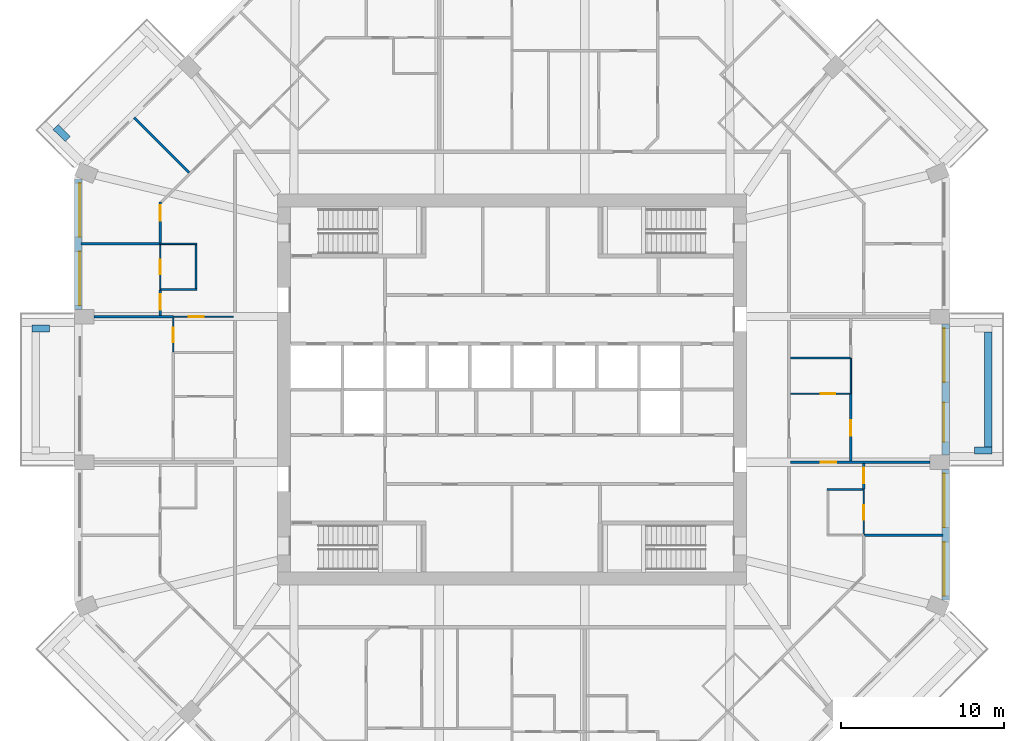
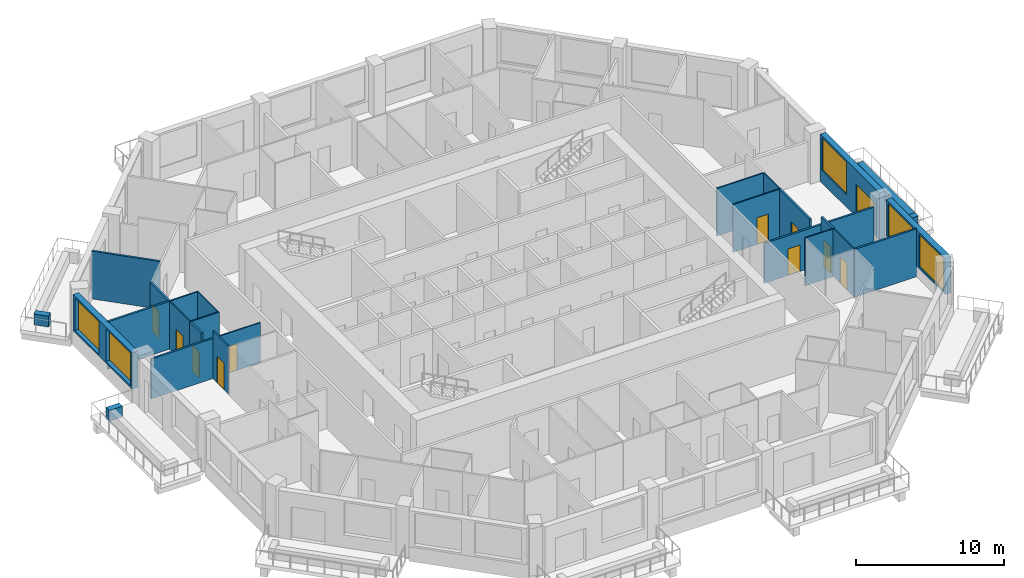
# One storey, part 7 of 13: 27 walls, 11 doors, 5 windows, 16 openings.
"""IFC4 building model written with IfcOpenShell, lengths in metres."""

from ifc_helpers import new_model, si_unit, direction, frame, frame_2d, origin, place, context, subcontext, project, spatial, rectangle, extrude, material, layer, layer_set, type_object, element, fill, save


model = new_model("IFC4")

# Units and contexts
model_context = context("Model", 3, precision=1e-05, world=origin(), true_north=direction((0.0, 1.0)))
body_context = subcontext(model_context, "Body", "Model", "MODEL_VIEW")
ifc_project = project(units=[si_unit("LENGTHUNIT", "METRE"), si_unit("AREAUNIT", "SQUARE_METRE"), si_unit("VOLUMEUNIT", "CUBIC_METRE"), si_unit("PLANEANGLEUNIT", "RADIAN"), si_unit("MASSUNIT", "GRAM", prefix="KILO")], contexts=[model_context])

# Site, building, storey
site_placement = place(None, origin())
site = spatial("IfcSite", under=ifc_project, at=site_placement, CompositionType="ELEMENT")
building_placement = place(site_placement, origin())
building = spatial("IfcBuilding", under=site, at=building_placement, Name="Msitu Wima Residences", CompositionType="ELEMENT")
storey_placement = place(building_placement, frame((0.0, 0.0, 110.699951171875)))
storey = spatial("IfcBuildingStorey", under=building, at=storey_placement, Name="L25", CompositionType="ELEMENT", Elevation=110.699951171875)

# Walls
ifc_material_1 = material(Name="Facing brick")
ifc_layer_1 = layer(ifc_material_1, 0.06494140625, Name="Facing brick")
ifc_material_2 = material(Name="Concrete C40/50", Category="concrete")
ifc_layer_2 = layer(ifc_material_2, 0.156005859375, Name="Concrete C40/50")
ifc_material_3 = material(Name="Waterproofing membrane")
ifc_layer_3 = layer(ifc_material_3, 0.00390625, Name="Waterproofing membrane")
ifc_material_4 = material(Name="Planting soil and planting")
ifc_layer_4 = layer(ifc_material_4, 0.22509765625, Name="Planting soil and planting")
ifc_layer_set_1 = layer_set([ifc_layer_1, ifc_layer_2, ifc_layer_3, ifc_layer_4], Name="Concrete C40/50")
wall_type_1 = type_object("IfcWallType", Name="Balcony planter PLANTER PL450", PredefinedType="USERDEFINED", material=ifc_layer_set_1)
wall_1_placement = place(storey_placement, frame((29.22509765625, -3.5185546875, 0.0), z_axis=(0.0, 0.0, 1.0), x_axis=(0.0, 1.0, 0.0)))
element("IfcWall", 1, at=wall_1_placement, inside=storey, type_object=wall_type_1, Name="Balcony planter E1 L25", ObjectType="PLANTER", PredefinedType="USERDEFINED", context=body_context, shape_type="SweptSolid", body=[
    extrude(rectangle(XDim=7.037109375, YDim=0.449951171875, at=frame_2d((3.5185546875, 0.0))), origin(), (0.0, 0.0, 1.0), 0.900146484375),
])
for number, where, z_axis, x_axis, name in (
    (2, (28.39990234375, -3.74365234375, 0.0), (0.0, 0.0, 1.0), (1.0, 0.0, 0.0), "Balcony planter E1 L25"),
    (3, (-27.26611328125, 15.3681640625, 0.0), (0.0, 0.0, 1.0), (-0.707223014731, 0.706990528533, 0.0), "Balcony planter NW1 L25"),
    (4, (-28.39990234375, 3.74365234375, 0.0), (0.0, 0.0, 1.0), (-1.0, 0.0, 0.0), "Balcony planter W1 L25"),
):
    element("IfcWall", number, at=place(storey_placement, frame(where, z_axis=z_axis, x_axis=x_axis)), inside=storey, type_object=wall_type_1, Name=name, ObjectType="PLANTER", PredefinedType="USERDEFINED", context=body_context, shape_type="SweptSolid", body=[
        extrude(rectangle(XDim=1.050048828125, YDim=0.449951171875, at=frame_2d((0.52490234375, 0.0))), origin(), (0.0, 0.0, 1.0), 0.900146484375),
    ])

# Wall, openings, windows
ifc_material_5 = material(Name="Brick (red buff mix)", Category="masonry")
ifc_layer_5 = layer(ifc_material_5, 0.449951171875)
ifc_layer_set_2 = layer_set([ifc_layer_5], Name="Brick (red buff mix)")
wall_type_2 = type_object("IfcWallType", Name="Brick infill wall BW450", PredefinedType="SOLIDWALL", material=ifc_layer_set_2)
wall_2_placement = place(storey_placement, frame((26.625, -12.918701171875, 0.900146484375), z_axis=(0.0, 0.0, 1.0), x_axis=(0.0, 1.0, 0.0)))
wall_2 = element("IfcWall", 5, at=wall_2_placement, inside=storey, type_object=wall_type_2, Name="Brick infill wall L25 E0", PredefinedType="SOLIDWALL", context=body_context, shape_type="SweptSolid", body=[
    extrude(rectangle(XDim=8.0, YDim=0.449951171875, at=frame_2d((4.0, 0.0))), origin(), (0.0, 0.0, 1.0), 3.0),
])
opening_1_placement = place(wall_2_placement, frame((0.25, 0.0, 0.14990234375)))
opening_1 = element("IfcOpeningElement", 6, at=opening_1_placement, cuts=wall_2, Name="Opening W25-26.001", PredefinedType="OPENING", context=body_context, shape_type="SweptSolid", body=[
    extrude(rectangle(XDim=3.300048828125, YDim=2.699951171875, at=frame_2d((1.64990234375, 1.35009765625))), frame((0.0, 0.23486328125, 0.0), z_axis=(0.0, -1.0, 0.0), x_axis=(1.0, 0.0, 0.0)), (0.0, 0.0, 1.0), 0.469970703125),
])
opening_2_placement = place(wall_2_placement, frame((4.4501953125, 0.0, 0.14990234375)))
opening_2 = element("IfcOpeningElement", 7, at=opening_2_placement, cuts=wall_2, Name="Opening W25-26.002", PredefinedType="OPENING", context=body_context, shape_type="SweptSolid", body=[
    extrude(rectangle(XDim=3.300048828125, YDim=2.699951171875, at=frame_2d((1.64990234375, 1.35009765625))), frame((0.0, 0.23486328125, 0.0), z_axis=(0.0, -1.0, 0.0), x_axis=(1.0, 0.0, 0.0)), (0.0, 0.0, 1.0), 0.469970703125),
])
ifc_material_6 = material(Name="Anodised aluminium, bronze finish, clear low-emissivity double glazing", Category="aluminium")
window_type = type_object("IfcWindowType", Name="Window W3300x2700", PartitioningType="DOUBLE_PANEL_VERTICAL", PredefinedType="WINDOW", material=ifc_material_6)
window_1_placement = place(opening_1_placement, origin())
window_1 = element("IfcWindow", 8, at=window_1_placement, inside=storey, type_object=window_type, Name="Window L25 E0.1", OverallHeight=2.699951171875, OverallWidth=3.300048828125, PartitioningType="SINGLE_PANEL", PredefinedType="WINDOW", context=body_context, shape_type="SweptSolid", body=[
    extrude(rectangle(XDim=3.300048828125, YDim=2.699951171875, at=frame_2d((1.64990234375, 1.35009765625))), frame((0.0, 0.135009765625, 0.0), z_axis=(0.0, -1.0, 0.0), x_axis=(1.0, 0.0, 0.0)), (0.0, 0.0, 1.0), 0.06005859375),
])
fill(opening_1, window_1)
window_2_placement = place(opening_2_placement, origin())
window_2 = element("IfcWindow", 9, at=window_2_placement, inside=storey, type_object=window_type, Name="Window L25 E0.2", OverallHeight=2.699951171875, OverallWidth=3.300048828125, PartitioningType="SINGLE_PANEL", PredefinedType="WINDOW", context=body_context, shape_type="SweptSolid", body=[
    extrude(rectangle(XDim=3.300048828125, YDim=2.699951171875, at=frame_2d((1.64990234375, 1.35009765625))), frame((0.0, 0.135009765625, 0.0), z_axis=(0.0, -1.0, 0.0), x_axis=(1.0, 0.0, 0.0)), (0.0, 0.0, 1.0), 0.06005859375),
])
fill(opening_2, window_2)

# Wall, openings, door, window
wall_3_placement = place(storey_placement, frame((26.625, -4.0185546875, 0.0), z_axis=(0.0, 0.0, 1.0), x_axis=(0.0, 1.0, 0.0)))
wall_3 = element("IfcWall", 10, at=wall_3_placement, inside=storey, type_object=wall_type_2, Name="Brick infill wall L25 E1", PredefinedType="SOLIDWALL", context=body_context, shape_type="SweptSolid", body=[
    extrude(rectangle(XDim=8.037109375, YDim=0.449951171875, at=frame_2d((4.0185546875, 0.0))), origin(), (0.0, 0.0, 1.0), 3.900146484375),
])
opening_3_placement = place(wall_3_placement, frame((0.809326171875, 0.0, 0.0)))
opening_3 = element("IfcOpeningElement", 11, at=opening_3_placement, cuts=wall_3, Name="Opening D25-26.001", PredefinedType="OPENING", context=body_context, shape_type="SweptSolid", body=[
    extrude(rectangle(XDim=2.39990234375, YDim=2.699951171875, at=frame_2d((1.199951171875, 1.35009765625))), frame((0.0, 0.23486328125, 0.0), z_axis=(0.0, -1.0, 0.0), x_axis=(1.0, 0.0, 0.0)), (0.0, 0.0, 1.0), 0.469970703125),
])
opening_4_placement = place(wall_3_placement, frame((4.46875, 0.0, 1.050048828125)))
opening_4 = element("IfcOpeningElement", 12, at=opening_4_placement, cuts=wall_3, Name="Opening W25-26.003", PredefinedType="OPENING", context=body_context, shape_type="SweptSolid", body=[
    extrude(rectangle(XDim=3.300048828125, YDim=2.699951171875, at=frame_2d((1.64990234375, 1.35009765625))), frame((0.0, 0.23486328125, 0.0), z_axis=(0.0, -1.0, 0.0), x_axis=(1.0, 0.0, 0.0)), (0.0, 0.0, 1.0), 0.469970703125),
])
door_type_1 = type_object("IfcDoorType", Name="Balcony door D2400x2700", OperationType="SLIDING_TO_LEFT", PredefinedType="DOOR", material=ifc_material_6)
door_1_placement = place(opening_3_placement, origin())
door_1 = element("IfcDoor", 13, at=door_1_placement, inside=storey, type_object=door_type_1, Name="Balcony door L25 E1", OperationType="SINGLE_SWING_LEFT", OverallHeight=2.699951171875, OverallWidth=2.39990234375, PredefinedType="DOOR", context=body_context, shape_type="SweptSolid", body=[
    extrude(rectangle(XDim=2.39990234375, YDim=2.699951171875, at=frame_2d((1.199951171875, 1.35009765625))), frame((0.0, 0.1298828125, 0.0), z_axis=(0.0, -1.0, 0.0), x_axis=(1.0, 0.0, 0.0)), (0.0, 0.0, 1.0), 0.050048828125),
])
fill(opening_3, door_1)
window_3_placement = place(opening_4_placement, origin())
window_3 = element("IfcWindow", 14, at=window_3_placement, inside=storey, type_object=window_type, Name="Window L25 E1.2", OverallHeight=2.699951171875, OverallWidth=3.300048828125, PartitioningType="SINGLE_PANEL", PredefinedType="WINDOW", context=body_context, shape_type="SweptSolid", body=[
    extrude(rectangle(XDim=3.300048828125, YDim=2.699951171875, at=frame_2d((1.64990234375, 1.35009765625))), frame((0.0, 0.135009765625, 0.0), z_axis=(0.0, -1.0, 0.0), x_axis=(1.0, 0.0, 0.0)), (0.0, 0.0, 1.0), 0.06005859375),
])
fill(opening_4, window_3)

# Wall, openings, windows
wall_4_placement = place(storey_placement, frame((-26.625, 12.918701171875, 0.900146484375), z_axis=(0.0, 0.0, 1.0), x_axis=(0.0, -1.0, 0.0)))
wall_4 = element("IfcWall", 15, at=wall_4_placement, inside=storey, type_object=wall_type_2, Name="Brick infill wall L25 W0", PredefinedType="SOLIDWALL", context=body_context, shape_type="SweptSolid", body=[
    extrude(rectangle(XDim=8.0, YDim=0.449951171875, at=frame_2d((4.0, 0.0))), origin(), (0.0, 0.0, 1.0), 3.0),
])
opening_5_placement = place(wall_4_placement, frame((0.25, 0.0, 0.14990234375)))
opening_5 = element("IfcOpeningElement", 16, at=opening_5_placement, cuts=wall_4, Name="Opening W25-26.026", PredefinedType="OPENING", context=body_context, shape_type="SweptSolid", body=[
    extrude(rectangle(XDim=3.300048828125, YDim=2.699951171875, at=frame_2d((1.64990234375, 1.35009765625))), frame((0.0, 0.23486328125, 0.0), z_axis=(0.0, -1.0, 0.0), x_axis=(1.0, 0.0, 0.0)), (0.0, 0.0, 1.0), 0.469970703125),
])
opening_6_placement = place(wall_4_placement, frame((4.4501953125, 0.0, 0.14990234375)))
opening_6 = element("IfcOpeningElement", 17, at=opening_6_placement, cuts=wall_4, Name="Opening W25-26.027", PredefinedType="OPENING", context=body_context, shape_type="SweptSolid", body=[
    extrude(rectangle(XDim=3.300048828125, YDim=2.699951171875, at=frame_2d((1.64990234375, 1.35009765625))), frame((0.0, 0.23486328125, 0.0), z_axis=(0.0, -1.0, 0.0), x_axis=(1.0, 0.0, 0.0)), (0.0, 0.0, 1.0), 0.469970703125),
])
window_4_placement = place(opening_5_placement, origin())
window_4 = element("IfcWindow", 18, at=window_4_placement, inside=storey, type_object=window_type, Name="Window L25 W0.1", OverallHeight=2.699951171875, OverallWidth=3.300048828125, PartitioningType="SINGLE_PANEL", PredefinedType="WINDOW", context=body_context, shape_type="SweptSolid", body=[
    extrude(rectangle(XDim=3.300048828125, YDim=2.699951171875, at=frame_2d((1.64990234375, 1.35009765625))), frame((0.0, 0.135009765625, 0.0), z_axis=(0.0, -1.0, 0.0), x_axis=(1.0, 0.0, 0.0)), (0.0, 0.0, 1.0), 0.06005859375),
])
fill(opening_5, window_4)
window_5_placement = place(opening_6_placement, origin())
window_5 = element("IfcWindow", 19, at=window_5_placement, inside=storey, type_object=window_type, Name="Window L25 W0.2", OverallHeight=2.699951171875, OverallWidth=3.300048828125, PartitioningType="SINGLE_PANEL", PredefinedType="WINDOW", context=body_context, shape_type="SweptSolid", body=[
    extrude(rectangle(XDim=3.300048828125, YDim=2.699951171875, at=frame_2d((1.64990234375, 1.35009765625))), frame((0.0, 0.135009765625, 0.0), z_axis=(0.0, -1.0, 0.0), x_axis=(1.0, 0.0, 0.0)), (0.0, 0.0, 1.0), 0.06005859375),
])
fill(opening_6, window_5)

# Walls
ifc_material_7 = material(Name="Plaster")
ifc_layer_6 = layer(ifc_material_7, 0.011962890625, Name="Plaster")
ifc_material_8 = material(Name="Concrete blockwork", Category="masonry")
ifc_layer_7 = layer(ifc_material_8, 0.1259765625, Name="Concrete blockwork")
ifc_layer_8 = layer(ifc_material_7, 0.011962890625, Name="Plaster")
ifc_layer_set_3 = layer_set([ifc_layer_6, ifc_layer_7, ifc_layer_8], Name="Concrete blockwork")
wall_type_3 = type_object("IfcWallType", Name="Partition PW150", PredefinedType="PARTITIONING", material=ifc_layer_set_3)
wall_5_placement = place(storey_placement, frame((-25.64990234375, 4.46875, 0.0), z_axis=(0.0, 0.0, 1.0), x_axis=(1.0, 0.0, 0.0)))
element("IfcWall", 20, at=wall_5_placement, inside=storey, type_object=wall_type_3, Name="Partition", PredefinedType="PARTITIONING", context=body_context, shape_type="SweptSolid", body=[
    extrude(rectangle(XDim=4.869873046875, YDim=0.14990234375, at=frame_2d((2.43505859375, 0.0))), origin(), (0.0, 0.0, 1.0), 3.300048828125),
])
wall_6_placement = place(storey_placement, frame((-26.455078125, 8.937255859375, 0.0), z_axis=(0.0, 0.0, 1.0), x_axis=(1.0, 0.0, 0.0)))
element("IfcWall", 21, at=wall_6_placement, inside=storey, type_object=wall_type_3, Name="Partition", PredefinedType="PARTITIONING", context=body_context, shape_type="SweptSolid", body=[
    extrude(rectangle(XDim=4.875, YDim=0.14990234375, at=frame_2d((2.4375, 0.0))), origin(), (0.0, 0.0, 1.0), 3.949951171875),
])
wall_7_placement = place(storey_placement, frame((-23.1904296875, 16.693359375, 0.0), z_axis=(0.0, 0.0, 1.0), x_axis=(0.707106781187, -0.707106781187, 0.0)))
element("IfcWall", 22, at=wall_7_placement, inside=storey, type_object=wall_type_3, Name="Partition", PredefinedType="PARTITIONING", context=body_context, shape_type="SweptSolid", body=[
    extrude(rectangle(XDim=4.7802734375, YDim=0.14990234375, at=frame_2d((2.39013671875, 0.0))), origin(), (0.0, 0.0, 1.0), 3.949951171875),
])

# Wall, opening, door
wall_8_placement = place(storey_placement, frame((-21.60009765625, 4.543701171875, 0.0), z_axis=(0.0, 0.0, 1.0), x_axis=(0.0, 1.0, 0.0)))
wall_8 = element("IfcWall", 23, at=wall_8_placement, inside=storey, type_object=wall_type_3, Name="Partition", PredefinedType="PARTITIONING", context=body_context, shape_type="SweptSolid", body=[
    extrude(rectangle(XDim=1.573486328125, YDim=0.14990234375, at=frame_2d((0.78662109375, 0.0))), origin(), (0.0, 0.0, 1.0), 3.949951171875),
])
opening_7_placement = place(wall_8_placement, frame((0.35009765625, 0.0, 0.0)))
opening_7 = element("IfcOpeningElement", 24, at=opening_7_placement, cuts=wall_8, Name="Opening D25-26.052", PredefinedType="OPENING", context=body_context, shape_type="SweptSolid", body=[
    extrude(rectangle(XDim=0.949951171875, YDim=2.199951171875, at=frame_2d((0.47509765625, 1.10009765625))), frame((0.0, 0.0849609375, 0.0), z_axis=(0.0, -1.0, 0.0), x_axis=(1.0, 0.0, 0.0)), (0.0, 0.0, 1.0), 0.169921875),
])
ifc_material_9 = material(Name="Timber flush door", Category="wood")
door_type_2 = type_object("IfcDoorType", Name="Room door D12 950x2200", OperationType="SINGLE_SWING_LEFT", PredefinedType="DOOR", material=ifc_material_9)
door_2_placement = place(opening_7_placement, origin())
door_2 = element("IfcDoor", 25, at=door_2_placement, inside=storey, type_object=door_type_2, Name="Room door", OperationType="SINGLE_SWING_LEFT", OverallHeight=2.199951171875, OverallWidth=0.949951171875, PredefinedType="DOOR", context=body_context, shape_type="SweptSolid", body=[
    extrude(rectangle(XDim=0.949951171875, YDim=2.199951171875, at=frame_2d((0.47509765625, 1.10009765625))), frame((0.0, 0.02490234375, 0.0), z_axis=(0.0, -1.0, 0.0), x_axis=(1.0, 0.0, 0.0)), (0.0, 0.0, 1.0), 0.050048828125),
])
fill(opening_7, door_2)

wall_9_placement = place(storey_placement, frame((-21.60009765625, 8.957275390625, 0.0), z_axis=(0.0, 0.0, 1.0), x_axis=(0.0, 1.0, 0.0)))
wall_9 = element("IfcWall", 26, at=wall_9_placement, inside=storey, type_object=wall_type_3, Name="Partition", PredefinedType="PARTITIONING", context=body_context, shape_type="SweptSolid", body=[
    extrude(rectangle(XDim=2.535400390625, YDim=0.14990234375, at=frame_2d((1.267578125, 0.0))), origin(), (0.0, 0.0, 1.0), 3.949951171875),
])
opening_8_placement = place(wall_9_placement, frame((1.39990234375, 0.0, 0.0)))
opening_8 = element("IfcOpeningElement", 27, at=opening_8_placement, cuts=wall_9, Name="Opening D25-26.060", PredefinedType="OPENING", context=body_context, shape_type="SweptSolid", body=[
    extrude(rectangle(XDim=0.949951171875, YDim=2.199951171875, at=frame_2d((0.47509765625, 1.10009765625))), frame((0.0, 0.0849609375, 0.0), z_axis=(0.0, -1.0, 0.0), x_axis=(1.0, 0.0, 0.0)), (0.0, 0.0, 1.0), 0.169921875),
])
door_3_placement = place(opening_8_placement, origin())
door_3 = element("IfcDoor", 28, at=door_3_placement, inside=storey, type_object=door_type_2, Name="Room door", OperationType="SINGLE_SWING_LEFT", OverallHeight=2.199951171875, OverallWidth=0.949951171875, PredefinedType="DOOR", context=body_context, shape_type="SweptSolid", body=[
    extrude(rectangle(XDim=0.949951171875, YDim=2.199951171875, at=frame_2d((0.47509765625, 1.10009765625))), frame((0.0, 0.02490234375, 0.0), z_axis=(0.0, -1.0, 0.0), x_axis=(1.0, 0.0, 0.0)), (0.0, 0.0, 1.0), 0.050048828125),
])
fill(opening_8, door_3)

wall_10_placement = place(storey_placement, frame((17.10009765625, -4.46875, 0.0), z_axis=(0.0, 0.0, 1.0), x_axis=(1.0, 0.0, 0.0)))
wall_10 = element("IfcWall", 29, at=wall_10_placement, inside=storey, type_object=wall_type_3, Name="Partition", PredefinedType="PARTITIONING", context=body_context, shape_type="SweptSolid", body=[
    extrude(rectangle(XDim=8.5498046875, YDim=0.14990234375, at=frame_2d((4.27490234375, 0.0))), origin(), (0.0, 0.0, 1.0), 3.300048828125),
])
opening_9_placement = place(wall_10_placement, frame((1.85009765625, 0.0, 0.0)))
opening_9 = element("IfcOpeningElement", 30, at=opening_9_placement, cuts=wall_10, Name="Opening D25-26.078", PredefinedType="OPENING", context=body_context, shape_type="SweptSolid", body=[
    extrude(rectangle(XDim=0.949951171875, YDim=2.199951171875, at=frame_2d((0.47509765625, 1.10009765625))), frame((0.0, 0.0849609375, 0.0), z_axis=(0.0, -1.0, 0.0), x_axis=(1.0, 0.0, 0.0)), (0.0, 0.0, 1.0), 0.169921875),
])
door_4_placement = place(opening_9_placement, origin())
door_4 = element("IfcDoor", 31, at=door_4_placement, inside=storey, type_object=door_type_2, Name="Room door", OperationType="SINGLE_SWING_LEFT", OverallHeight=2.199951171875, OverallWidth=0.949951171875, PredefinedType="DOOR", context=body_context, shape_type="SweptSolid", body=[
    extrude(rectangle(XDim=0.949951171875, YDim=2.199951171875, at=frame_2d((0.47509765625, 1.10009765625))), frame((0.0, 0.02490234375, 0.0), z_axis=(0.0, -1.0, 0.0), x_axis=(1.0, 0.0, 0.0)), (0.0, 0.0, 1.0), 0.050048828125),
])
fill(opening_9, door_4)

wall_11_placement = place(storey_placement, frame((20.800048828125, -4.3935546875, 0.0), z_axis=(0.0, 0.0, 1.0), x_axis=(0.0, 1.0, 0.0)))
wall_11 = element("IfcWall", 32, at=wall_11_placement, inside=storey, type_object=wall_type_3, Name="Partition", PredefinedType="PARTITIONING", context=body_context, shape_type="SweptSolid", body=[
    extrude(rectangle(XDim=4.14501953125, YDim=0.14990234375, at=frame_2d((2.072509765625, 0.0))), origin(), (0.0, 0.0, 1.0), 3.949951171875),
])
opening_10_placement = place(wall_11_placement, frame((1.550048828125, 0.0, 0.0)))
opening_10 = element("IfcOpeningElement", 33, at=opening_10_placement, cuts=wall_11, Name="Opening D25-26.077", PredefinedType="OPENING", context=body_context, shape_type="SweptSolid", body=[
    extrude(rectangle(XDim=0.949951171875, YDim=2.199951171875, at=frame_2d((0.47509765625, 1.10009765625))), frame((0.0, 0.0849609375, 0.0), z_axis=(0.0, -1.0, 0.0), x_axis=(1.0, 0.0, 0.0)), (0.0, 0.0, 1.0), 0.169921875),
])
door_5_placement = place(opening_10_placement, origin())
door_5 = element("IfcDoor", 34, at=door_5_placement, inside=storey, type_object=door_type_2, Name="Room door", OperationType="SINGLE_SWING_RIGHT", OverallHeight=2.199951171875, OverallWidth=0.949951171875, PredefinedType="DOOR", context=body_context, shape_type="SweptSolid", body=[
    extrude(rectangle(XDim=0.949951171875, YDim=2.199951171875, at=frame_2d((0.47509765625, 1.10009765625))), frame((0.0, 0.02490234375, 0.0), z_axis=(0.0, -1.0, 0.0), x_axis=(1.0, 0.0, 0.0)), (0.0, 0.0, 1.0), 0.050048828125),
])
fill(opening_10, door_5)

# Wall
wall_12_placement = place(storey_placement, frame((21.580078125, -8.937255859375, 0.0), z_axis=(0.0, 0.0, 1.0), x_axis=(1.0, 0.0, 0.0)))
element("IfcWall", 35, at=wall_12_placement, inside=storey, type_object=wall_type_3, Name="Partition", PredefinedType="PARTITIONING", context=body_context, shape_type="SweptSolid", body=[
    extrude(rectangle(XDim=4.875, YDim=0.14990234375, at=frame_2d((2.4375, 0.0))), origin(), (0.0, 0.0, 1.0), 3.949951171875),
])

# Wall, opening, door
wall_13_placement = place(storey_placement, frame((21.60009765625, -6.1171875, 0.0), z_axis=(0.0, 0.0, 1.0), x_axis=(0.0, 1.0, 0.0)))
wall_13 = element("IfcWall", 36, at=wall_13_placement, inside=storey, type_object=wall_type_3, Name="Partition", PredefinedType="PARTITIONING", context=body_context, shape_type="SweptSolid", body=[
    extrude(rectangle(XDim=1.573486328125, YDim=0.14990234375, at=frame_2d((0.78662109375, 0.0))), origin(), (0.0, 0.0, 1.0), 3.949951171875),
])
opening_11_placement = place(wall_13_placement, frame((0.35009765625, 0.0, 0.0)))
opening_11 = element("IfcOpeningElement", 37, at=opening_11_placement, cuts=wall_13, Name="Opening D25-26.083", PredefinedType="OPENING", context=body_context, shape_type="SweptSolid", body=[
    extrude(rectangle(XDim=0.949951171875, YDim=2.199951171875, at=frame_2d((0.47509765625, 1.10009765625))), frame((0.0, 0.0849609375, 0.0), z_axis=(0.0, -1.0, 0.0), x_axis=(1.0, 0.0, 0.0)), (0.0, 0.0, 1.0), 0.169921875),
])
door_6_placement = place(opening_11_placement, origin())
door_6 = element("IfcDoor", 38, at=door_6_placement, inside=storey, type_object=door_type_2, Name="Room door", OperationType="SINGLE_SWING_LEFT", OverallHeight=2.199951171875, OverallWidth=0.949951171875, PredefinedType="DOOR", context=body_context, shape_type="SweptSolid", body=[
    extrude(rectangle(XDim=0.949951171875, YDim=2.199951171875, at=frame_2d((0.47509765625, 1.10009765625))), frame((0.0, 0.02490234375, 0.0), z_axis=(0.0, -1.0, 0.0), x_axis=(1.0, 0.0, 0.0)), (0.0, 0.0, 1.0), 0.050048828125),
])
fill(opening_11, door_6)

# Wall
ifc_material_10 = material(Name="Ceramic tiles")
ifc_layer_9 = layer(ifc_material_10, 0.008056640625, Name="Ceramic tiles")
ifc_material_11 = material(Name="Moisture-resistant board")
ifc_layer_10 = layer(ifc_material_11, 0.012451171875, Name="Moisture-resistant board")
ifc_material_12 = material(Name="Light-gauge stud framing with mineral wool")
ifc_layer_11 = layer(ifc_material_12, 0.06689453125, Name="Light-gauge stud framing with mineral wool")
ifc_layer_12 = layer(ifc_material_11, 0.012451171875, Name="Moisture-resistant board")
ifc_layer_set_4 = layer_set([ifc_layer_9, ifc_layer_10, ifc_layer_11, ifc_layer_12], Name="Light-gauge stud framing with mineral wool")
wall_type_4 = type_object("IfcWallType", Name="Wet wall PW100", PredefinedType="PARTITIONING", material=ifc_layer_set_4)
wall_14_placement = place(storey_placement, frame((-21.580078125, 8.937255859375, 0.0), z_axis=(0.0, 0.0, 1.0), x_axis=(1.0, 0.0, 0.0)))
element("IfcWall", 39, at=wall_14_placement, inside=storey, type_object=wall_type_4, Name="Wet wall", PredefinedType="PARTITIONING", context=body_context, shape_type="SweptSolid", body=[
    extrude(rectangle(XDim=2.22998046875, YDim=0.10009765625, at=frame_2d((1.114990234375, 0.0))), origin(), (0.0, 0.0, 1.0), 3.949951171875),
])

# Wall, opening, door
wall_15_placement = place(storey_placement, frame((-21.60009765625, 6.1171875, 0.0), z_axis=(0.0, 0.0, 1.0), x_axis=(0.0, 1.0, 0.0)))
wall_15 = element("IfcWall", 40, at=wall_15_placement, inside=storey, type_object=wall_type_4, Name="Wet wall", PredefinedType="PARTITIONING", context=body_context, shape_type="SweptSolid", body=[
    extrude(rectangle(XDim=2.840087890625, YDim=0.10009765625, at=frame_2d((1.419921875, 0.0))), origin(), (0.0, 0.0, 1.0), 3.949951171875),
])
opening_12_placement = place(wall_15_placement, frame((0.949951171875, 0.0, 0.0)))
opening_12 = element("IfcOpeningElement", 41, at=opening_12_placement, cuts=wall_15, Name="Opening D25-26.054", PredefinedType="OPENING", context=body_context, shape_type="SweptSolid", body=[
    extrude(rectangle(XDim=0.89990234375, YDim=2.199951171875, at=frame_2d((0.449951171875, 1.10009765625))), frame((0.0, 0.06005859375, 0.0), z_axis=(0.0, -1.0, 0.0), x_axis=(1.0, 0.0, 0.0)), (0.0, 0.0, 1.0), 0.1201171875),
])
ifc_material_13 = material(Name="Timber flush door, moisture resistant", Category="wood")
door_type_3 = type_object("IfcDoorType", Name="Bathroom door D03 900x2200", OperationType="SINGLE_SWING_LEFT", PredefinedType="DOOR", material=ifc_material_13)
door_7_placement = place(opening_12_placement, origin())
door_7 = element("IfcDoor", 42, at=door_7_placement, inside=storey, type_object=door_type_3, Name="Bathroom door", OperationType="SINGLE_SWING_RIGHT", OverallHeight=2.199951171875, OverallWidth=0.89990234375, PredefinedType="DOOR", context=body_context, shape_type="SweptSolid", body=[
    extrude(rectangle(XDim=0.89990234375, YDim=2.199951171875, at=frame_2d((0.449951171875, 1.10009765625))), frame((0.0, 0.02490234375, 0.0), z_axis=(0.0, -1.0, 0.0), x_axis=(1.0, 0.0, 0.0)), (0.0, 0.0, 1.0), 0.050048828125),
])
fill(opening_12, door_7)

# Wall
wall_16_placement = place(storey_placement, frame((-21.550048828125, 6.13720703125, 0.0), z_axis=(0.0, 0.0, 1.0), x_axis=(1.0, 0.0, 0.0)))
element("IfcWall", 43, at=wall_16_placement, inside=storey, type_object=wall_type_4, Name="Wet wall", PredefinedType="PARTITIONING", context=body_context, shape_type="SweptSolid", body=[
    extrude(rectangle(XDim=2.199951171875, YDim=0.10009765625, at=frame_2d((1.10009765625, 0.0))), origin(), (0.0, 0.0, 1.0), 3.949951171875),
])

# Wall, opening, door
wall_17_placement = place(storey_placement, frame((-20.780029296875, 4.46875, 0.0), z_axis=(0.0, 0.0, 1.0), x_axis=(1.0, 0.0, 0.0)))
wall_17 = element("IfcWall", 44, at=wall_17_placement, inside=storey, type_object=wall_type_4, Name="Wet wall", PredefinedType="PARTITIONING", context=body_context, shape_type="SweptSolid", body=[
    extrude(rectangle(XDim=3.679931640625, YDim=0.10009765625, at=frame_2d((1.83984375, 0.0))), origin(), (0.0, 0.0, 1.0), 3.300048828125),
])
opening_13_placement = place(wall_17_placement, frame((0.949951171875, 0.0, 0.0)))
opening_13 = element("IfcOpeningElement", 45, at=opening_13_placement, cuts=wall_17, Name="Opening D25-26.050", PredefinedType="OPENING", context=body_context, shape_type="SweptSolid", body=[
    extrude(rectangle(XDim=0.89990234375, YDim=2.199951171875, at=frame_2d((0.449951171875, 1.10009765625))), frame((0.0, 0.06005859375, 0.0), z_axis=(0.0, -1.0, 0.0), x_axis=(1.0, 0.0, 0.0)), (0.0, 0.0, 1.0), 0.1201171875),
])
door_8_placement = place(opening_13_placement, origin())
door_8 = element("IfcDoor", 46, at=door_8_placement, inside=storey, type_object=door_type_3, Name="Bathroom door", OperationType="SINGLE_SWING_RIGHT", OverallHeight=2.199951171875, OverallWidth=0.89990234375, PredefinedType="DOOR", context=body_context, shape_type="SweptSolid", body=[
    extrude(rectangle(XDim=0.89990234375, YDim=2.199951171875, at=frame_2d((0.449951171875, 1.10009765625))), frame((0.0, 0.02490234375, 0.0), z_axis=(0.0, -1.0, 0.0), x_axis=(1.0, 0.0, 0.0)), (0.0, 0.0, 1.0), 0.050048828125),
])
fill(opening_13, door_8)

wall_18_placement = place(storey_placement, frame((-20.800048828125, 2.28857421875, 0.0), z_axis=(0.0, 0.0, 1.0), x_axis=(0.0, 1.0, 0.0)))
wall_18 = element("IfcWall", 47, at=wall_18_placement, inside=storey, type_object=wall_type_4, Name="Wet wall", PredefinedType="PARTITIONING", context=body_context, shape_type="SweptSolid", body=[
    extrude(rectangle(XDim=2.10498046875, YDim=0.10009765625, at=frame_2d((1.052490234375, 0.0))), origin(), (0.0, 0.0, 1.0), 3.949951171875),
])
opening_14_placement = place(wall_18_placement, frame((0.60009765625, 0.0, 0.0)))
opening_14 = element("IfcOpeningElement", 48, at=opening_14_placement, cuts=wall_18, Name="Opening D25-26.049", PredefinedType="OPENING", context=body_context, shape_type="SweptSolid", body=[
    extrude(rectangle(XDim=0.89990234375, YDim=2.199951171875, at=frame_2d((0.449951171875, 1.10009765625))), frame((0.0, 0.06005859375, 0.0), z_axis=(0.0, -1.0, 0.0), x_axis=(1.0, 0.0, 0.0)), (0.0, 0.0, 1.0), 0.1201171875),
])
door_9_placement = place(opening_14_placement, origin())
door_9 = element("IfcDoor", 49, at=door_9_placement, inside=storey, type_object=door_type_3, Name="Bathroom door", OperationType="SINGLE_SWING_RIGHT", OverallHeight=2.199951171875, OverallWidth=0.89990234375, PredefinedType="DOOR", context=body_context, shape_type="SweptSolid", body=[
    extrude(rectangle(XDim=0.89990234375, YDim=2.199951171875, at=frame_2d((0.449951171875, 1.10009765625))), frame((0.0, 0.02490234375, 0.0), z_axis=(0.0, -1.0, 0.0), x_axis=(1.0, 0.0, 0.0)), (0.0, 0.0, 1.0), 0.050048828125),
])
fill(opening_14, door_9)

# Wall
wall_19_placement = place(storey_placement, frame((-19.39990234375, 6.187255859375, 0.0), z_axis=(0.0, 0.0, 1.0), x_axis=(0.0, 1.0, 0.0)))
element("IfcWall", 50, at=wall_19_placement, inside=storey, type_object=wall_type_4, Name="Wet wall", PredefinedType="PARTITIONING", context=body_context, shape_type="SweptSolid", body=[
    extrude(rectangle(XDim=2.699951171875, YDim=0.10009765625, at=frame_2d((1.35009765625, 0.0))), origin(), (0.0, 0.0, 1.0), 3.949951171875),
])

# Wall, opening, door
wall_20_placement = place(storey_placement, frame((17.10009765625, -0.2685546875, 0.0), z_axis=(0.0, 0.0, 1.0), x_axis=(1.0, 0.0, 0.0)))
wall_20 = element("IfcWall", 51, at=wall_20_placement, inside=storey, type_object=wall_type_4, Name="Wet wall", PredefinedType="PARTITIONING", context=body_context, shape_type="SweptSolid", body=[
    extrude(rectangle(XDim=3.64990234375, YDim=0.10009765625, at=frame_2d((1.824951171875, 0.0))), origin(), (0.0, 0.0, 1.0), 3.949951171875),
])
opening_15_placement = place(wall_20_placement, frame((1.85009765625, 0.0, 0.0)))
opening_15 = element("IfcOpeningElement", 52, at=opening_15_placement, cuts=wall_20, Name="Opening D25-26.080", PredefinedType="OPENING", context=body_context, shape_type="SweptSolid", body=[
    extrude(rectangle(XDim=0.89990234375, YDim=2.199951171875, at=frame_2d((0.449951171875, 1.10009765625))), frame((0.0, 0.06005859375, 0.0), z_axis=(0.0, -1.0, 0.0), x_axis=(1.0, 0.0, 0.0)), (0.0, 0.0, 1.0), 0.1201171875),
])
door_10_placement = place(opening_15_placement, origin())
door_10 = element("IfcDoor", 53, at=door_10_placement, inside=storey, type_object=door_type_3, Name="Bathroom door", OperationType="SINGLE_SWING_RIGHT", OverallHeight=2.199951171875, OverallWidth=0.89990234375, PredefinedType="DOOR", context=body_context, shape_type="SweptSolid", body=[
    extrude(rectangle(XDim=0.89990234375, YDim=2.199951171875, at=frame_2d((0.449951171875, 1.10009765625))), frame((0.0, 0.02490234375, 0.0), z_axis=(0.0, -1.0, 0.0), x_axis=(1.0, 0.0, 0.0)), (0.0, 0.0, 1.0), 0.050048828125),
])
fill(opening_15, door_10)

# Walls
wall_21_placement = place(storey_placement, frame((17.10009765625, 1.931396484375, 0.0), z_axis=(0.0, 0.0, 1.0), x_axis=(1.0, 0.0, 0.0)))
element("IfcWall", 54, at=wall_21_placement, inside=storey, type_object=wall_type_4, Name="Wet wall", PredefinedType="PARTITIONING", context=body_context, shape_type="SweptSolid", body=[
    extrude(rectangle(XDim=3.64990234375, YDim=0.10009765625, at=frame_2d((1.824951171875, 0.0))), origin(), (0.0, 0.0, 1.0), 3.949951171875),
])
wall_22_placement = place(storey_placement, frame((19.35009765625, -6.13720703125, 0.0), z_axis=(0.0, 0.0, 1.0), x_axis=(1.0, 0.0, 0.0)))
element("IfcWall", 55, at=wall_22_placement, inside=storey, type_object=wall_type_4, Name="Wet wall", PredefinedType="PARTITIONING", context=body_context, shape_type="SweptSolid", body=[
    extrude(rectangle(XDim=2.1748046875, YDim=0.10009765625, at=frame_2d((1.08740234375, 0.0))), origin(), (0.0, 0.0, 1.0), 3.949951171875),
])
wall_23_placement = place(storey_placement, frame((20.800048828125, -0.24853515625, 0.0), z_axis=(0.0, 0.0, 1.0), x_axis=(0.0, 1.0, 0.0)))
element("IfcWall", 56, at=wall_23_placement, inside=storey, type_object=wall_type_4, Name="Wet wall", PredefinedType="PARTITIONING", context=body_context, shape_type="SweptSolid", body=[
    extrude(rectangle(XDim=2.159912109375, YDim=0.10009765625, at=frame_2d((1.080078125, 0.0))), origin(), (0.0, 0.0, 1.0), 3.949951171875),
])

# Wall, opening, door
wall_24_placement = place(storey_placement, frame((21.60009765625, -8.957275390625, 0.0), z_axis=(0.0, 0.0, 1.0), x_axis=(0.0, 1.0, 0.0)))
wall_24 = element("IfcWall", 57, at=wall_24_placement, inside=storey, type_object=wall_type_4, Name="Wet wall", PredefinedType="PARTITIONING", context=body_context, shape_type="SweptSolid", body=[
    extrude(rectangle(XDim=2.840087890625, YDim=0.10009765625, at=frame_2d((1.419921875, 0.0))), origin(), (0.0, 0.0, 1.0), 3.949951171875),
])
opening_16_placement = place(wall_24_placement, frame((0.949951171875, 0.0, 0.0)))
opening_16 = element("IfcOpeningElement", 58, at=opening_16_placement, cuts=wall_24, Name="Opening D25-26.084", PredefinedType="OPENING", context=body_context, shape_type="SweptSolid", body=[
    extrude(rectangle(XDim=0.89990234375, YDim=2.199951171875, at=frame_2d((0.449951171875, 1.10009765625))), frame((0.0, 0.06005859375, 0.0), z_axis=(0.0, -1.0, 0.0), x_axis=(1.0, 0.0, 0.0)), (0.0, 0.0, 1.0), 0.1201171875),
])
door_11_placement = place(opening_16_placement, origin())
door_11 = element("IfcDoor", 59, at=door_11_placement, inside=storey, type_object=door_type_3, Name="Bathroom door", OperationType="SINGLE_SWING_LEFT", OverallHeight=2.199951171875, OverallWidth=0.89990234375, PredefinedType="DOOR", context=body_context, shape_type="SweptSolid", body=[
    extrude(rectangle(XDim=0.89990234375, YDim=2.199951171875, at=frame_2d((0.449951171875, 1.10009765625))), frame((0.0, 0.02490234375, 0.0), z_axis=(0.0, -1.0, 0.0), x_axis=(1.0, 0.0, 0.0)), (0.0, 0.0, 1.0), 0.050048828125),
])
fill(opening_16, door_11)

save(model, "model.ifc")
